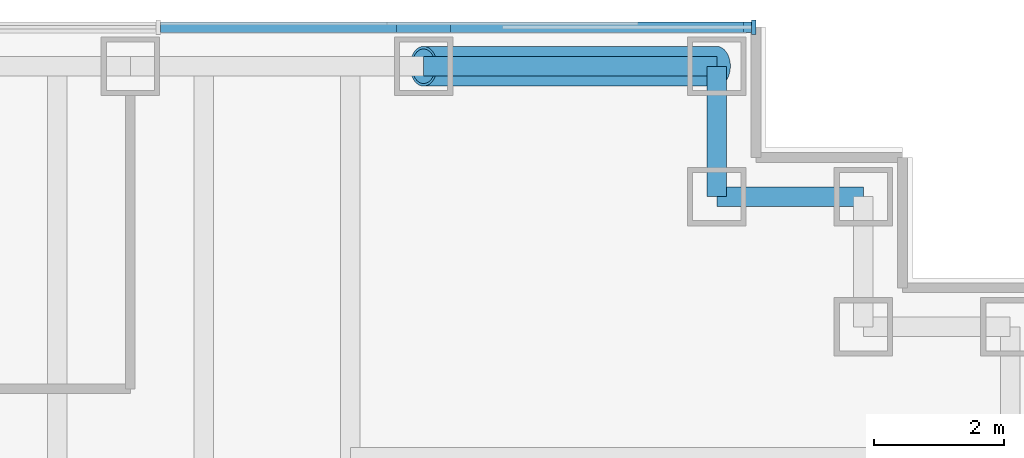
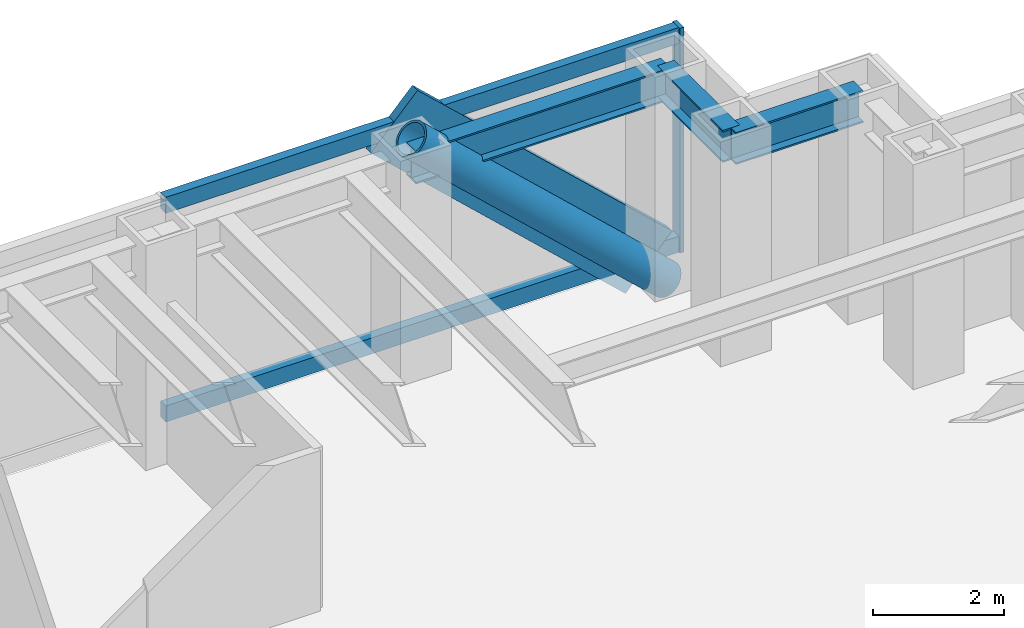
# One storey, part 8 of 18: 5 members, 3 beams, 1 element without a shape of its own.
"""IFC4 building model written with IfcOpenShell, lengths in metres."""

from ifc_helpers import new_model, si_unit, direction, frame, origin, origin_2d, place, context, subcontext, project, spatial, rectangle, hollow_circle, i_section, extrude, material, material_profile, profile_set, type_object, element, aggregate, save


model = new_model("IFC4")

# Units and contexts
model_context = context("Model", 3, precision=1e-05, world=origin(), true_north=direction((0.0, 1.0)))
body_context = subcontext(model_context, "Body", "Model", "MODEL_VIEW")
ifc_project = project(units=[si_unit("LENGTHUNIT", "METRE"), si_unit("AREAUNIT", "SQUARE_METRE"), si_unit("VOLUMEUNIT", "CUBIC_METRE"), si_unit("PLANEANGLEUNIT", "RADIAN"), si_unit("MASSUNIT", "GRAM", prefix="KILO")], contexts=[model_context])

# Site, building, storey
site_placement = place(None, origin())
site = spatial("IfcSite", under=ifc_project, at=site_placement, CompositionType="ELEMENT")
building_placement = place(site_placement, origin())
building = spatial("IfcBuilding", under=site, at=building_placement, Name="Rheinbord Bourse Tower", CompositionType="ELEMENT")
storey_placement = place(building_placement, frame((0.0, 0.0, 244.60009765625)))
storey = spatial("IfcBuildingStorey", under=building, at=storey_placement, Name="L55", CompositionType="ELEMENT", Elevation=244.60009765625)

# Curtain wall, members
ifc_material_1 = material(Name="Dark glass and black aluminium", Category="aluminium")
curtain_wall_type = type_object("IfcCurtainWallType", Name="CW2 DARK GLASS CURTAIN WALL", PredefinedType="USERDEFINED", material=ifc_material_1)
curtain_wall_placement = place(storey_placement, origin())
curtain_wall = element("IfcCurtainWall", 1, at=curtain_wall_placement, inside=storey, type_object=curtain_wall_type, Name="Curtain wall CW2 N L55", ObjectType="UNITISED CURTAIN WALL", PredefinedType="USERDEFINED")
ifc_material_2 = material(Name="Black anodised aluminium", Category="aluminium")
ifc_material_profile_1 = material_profile(ifc_material_2, rectangle(XDim=0.159912109375, YDim=1.2099609375, at=origin_2d()), Name="CW2 DIAGONAL MULLION 1210x160")
ifc_profile_set_1 = profile_set([ifc_material_profile_1], Name="Black anodised aluminium")
member_type_1 = type_object("IfcMemberType", Name="CW2 BLACK DIAGONAL MULLION", PredefinedType="USERDEFINED", material=ifc_profile_set_1)
member_1_placement = place(storey_placement, frame((67.5, 44.60009765625, 0.0), z_axis=(-0.73105922506, 0.0, 0.682314010889), x_axis=(0.0, -1.0, 0.0)))
member_1 = element("IfcMember", 2, at=member_1_placement, type_object=member_type_1, Name="CW2 diagonal mullion b", ObjectType="DIAGONAL MULLION", PredefinedType="USERDEFINED", context=body_context, shape_type="SweptSolid", body=[
    extrude(rectangle(XDim=0.159912109375, YDim=1.2099609375, at=origin_2d()), origin(), (0.0, 0.0, 1.0), 6.155517578125),
])
ifc_material_3 = material(Name="Black anodised aluminium", Category="aluminium")
ifc_material_profile_2 = material_profile(ifc_material_3, rectangle(XDim=0.219970703125, YDim=0.070068359375, at=origin_2d()), Name="CW2 MULLION 70x220")
ifc_profile_set_2 = profile_set([ifc_material_profile_2], Name="Black anodised aluminium")
member_type_2 = type_object("IfcMemberType", Name="CW2 BLACK MULLION", PredefinedType="MULLION", material=ifc_profile_set_2)
member_2_placement = place(storey_placement, frame((68.06494140625, 44.60009765625, 0.0), z_axis=(0.0, 0.0, 1.0), x_axis=(0.0, -1.0, 0.0)))
member_2 = element("IfcMember", 3, at=member_2_placement, type_object=member_type_2, Name="CW2 mullion 1", PredefinedType="MULLION", context=body_context, shape_type="SweptSolid", body=[
    extrude(rectangle(XDim=0.219970703125, YDim=0.070068359375, at=origin_2d()), origin(), (0.0, 0.0, 1.0), 4.199951171875),
])
ifc_material_4 = material(Name="Black anodised aluminium", Category="aluminium")
ifc_material_profile_3 = material_profile(ifc_material_4, rectangle(XDim=0.159912109375, YDim=0.300048828125, at=origin_2d()), Name="CW2 TRANSOM 300x160")
ifc_profile_set_3 = profile_set([ifc_material_profile_3], Name="Black anodised aluminium")
member_type_3 = type_object("IfcMemberType", Name="CW2 BLACK TRANSOM", PredefinedType="USERDEFINED", material=ifc_profile_set_3)
member_3_placement = place(storey_placement, frame((68.030029296875, 44.60009765625, 0.14990234375), z_axis=(-1.0, 0.0, 0.0), x_axis=(0.0, -1.0, 0.0)))
member_3 = element("IfcMember", 4, at=member_3_placement, type_object=member_type_3, Name="CW2 transom 1.1", ObjectType="TRANSOM", PredefinedType="USERDEFINED", context=body_context, shape_type="SweptSolid", body=[
    extrude(rectangle(XDim=0.159912109375, YDim=0.300048828125, at=origin_2d()), origin(), (0.0, 0.0, 1.0), 9.06640625),
])
member_4_placement = place(storey_placement, frame((68.030029296875, 44.60009765625, 4.0498046875), z_axis=(-1.0, 0.0, 0.0), x_axis=(0.0, -1.0, 0.0)))
member_4 = element("IfcMember", 5, at=member_4_placement, type_object=member_type_3, Name="CW2 transom 1.2", ObjectType="TRANSOM", PredefinedType="USERDEFINED", context=body_context, shape_type="SweptSolid", body=[
    extrude(rectangle(XDim=0.159912109375, YDim=0.300048828125, at=origin_2d()), origin(), (0.0, 0.0, 1.0), 9.06640625),
])
aggregate(curtain_wall, [member_2, member_3, member_4, member_1])

# Member
ifc_material_5 = material(Name="Steel S460", Category="steel")
ifc_material_profile_4 = material_profile(ifc_material_5, hollow_circle(Radius=0.304931640625, WallThickness=0.0400390625, at=origin_2d()), Name="CHS 610x40")
ifc_profile_set_4 = profile_set([ifc_material_profile_4], Name="Steel S460")
member_type_4 = type_object("IfcMemberType", Name="MEGABRACE CHS 610x40", PredefinedType="BRACE", material=ifc_profile_set_4)
member_5_placement = place(storey_placement, frame((67.5, 44.0, 0.0), z_axis=(-0.73105922506, 0.0, 0.682314010889), x_axis=(0.0, -1.0, 0.0)))
element("IfcMember", 6, at=member_5_placement, inside=storey, type_object=member_type_4, Name="Megabrace N face line b L55", PredefinedType="BRACE", context=body_context, shape_type="SweptSolid", body=[
    extrude(hollow_circle(Radius=0.304931640625, WallThickness=0.0400390625, at=origin_2d()), origin(), (0.0, 0.0, 1.0), 6.155517578125),
])

# Beams
ifc_material_6 = material(Name="Steel S460", Category="steel")
ifc_material_profile_5 = material_profile(ifc_material_6, i_section(OverallWidth=0.300048828125, OverallDepth=0.60009765625, WebThickness=0.015380859375, FlangeThickness=0.030029296875, at=origin_2d()), Name="HEB 600")
ifc_profile_set_5 = profile_set([ifc_material_profile_5], Name="Steel S460")
beam_type = type_object("IfcBeamType", Name="SPANDREL HEB 600", PredefinedType="SPANDREL", material=ifc_profile_set_5)
beam_1_placement = place(storey_placement, frame((69.75, 42.0, 3.739990234375), z_axis=(-1.0, 0.0, 0.0), x_axis=(0.0, -1.0, 0.0)))
element("IfcBeam", 7, at=beam_1_placement, inside=storey, type_object=beam_type, Name="Spandrel NE-C-NE-D under L56", PredefinedType="SPANDREL", context=body_context, shape_type="SweptSolid", body=[
    extrude(i_section(OverallWidth=0.300048828125, OverallDepth=0.60009765625, WebThickness=0.015380859375, FlangeThickness=0.030029296875, at=origin_2d()), origin(), (0.0, 0.0, 1.0), 2.25),
])
beam_2_placement = place(storey_placement, frame((67.5, 42.0, 3.739990234375), z_axis=(0.0, 1.0, 0.0), x_axis=(-1.0, 0.0, 0.0)))
element("IfcBeam", 8, at=beam_2_placement, inside=storey, type_object=beam_type, Name="Spandrel NE-D-NE-E under L56", PredefinedType="SPANDREL", context=body_context, shape_type="SweptSolid", body=[
    extrude(i_section(OverallWidth=0.300048828125, OverallDepth=0.60009765625, WebThickness=0.015380859375, FlangeThickness=0.030029296875, at=origin_2d()), origin(), (0.0, 0.0, 1.0), 2.0),
])
beam_3_placement = place(storey_placement, frame((67.5, 44.0, 3.739990234375), z_axis=(-1.0, 0.0, 0.0), x_axis=(0.0, -1.0, 0.0)))
element("IfcBeam", 9, at=beam_3_placement, inside=storey, type_object=beam_type, Name="Spandrel NE-E-N-63 under L56", PredefinedType="SPANDREL", context=body_context, shape_type="SweptSolid", body=[
    extrude(i_section(OverallWidth=0.300048828125, OverallDepth=0.60009765625, WebThickness=0.015380859375, FlangeThickness=0.030029296875, at=origin_2d()), origin(), (0.0, 0.0, 1.0), 4.5),
])

save(model, "model.ifc")
